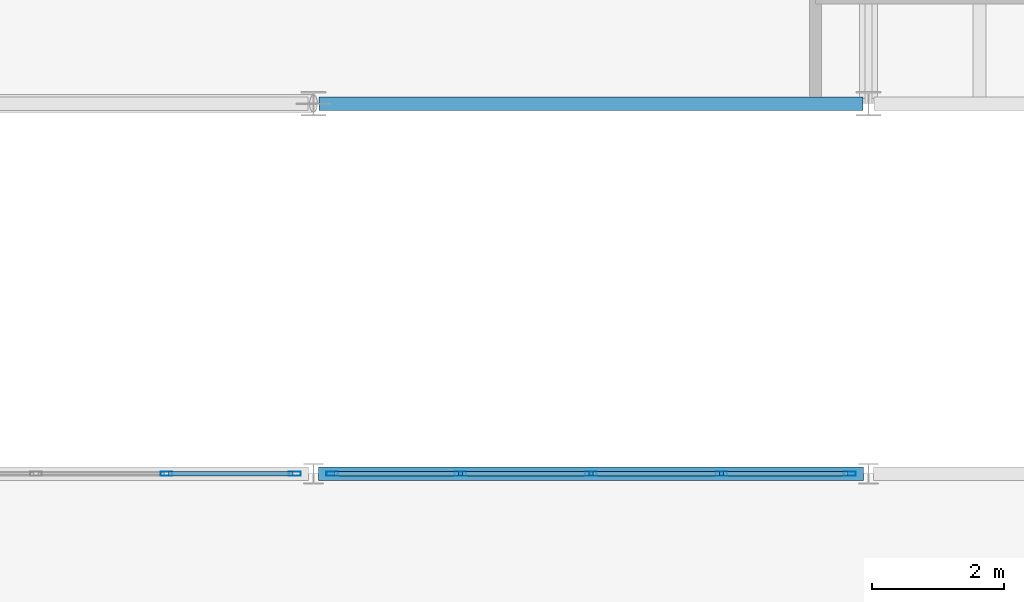
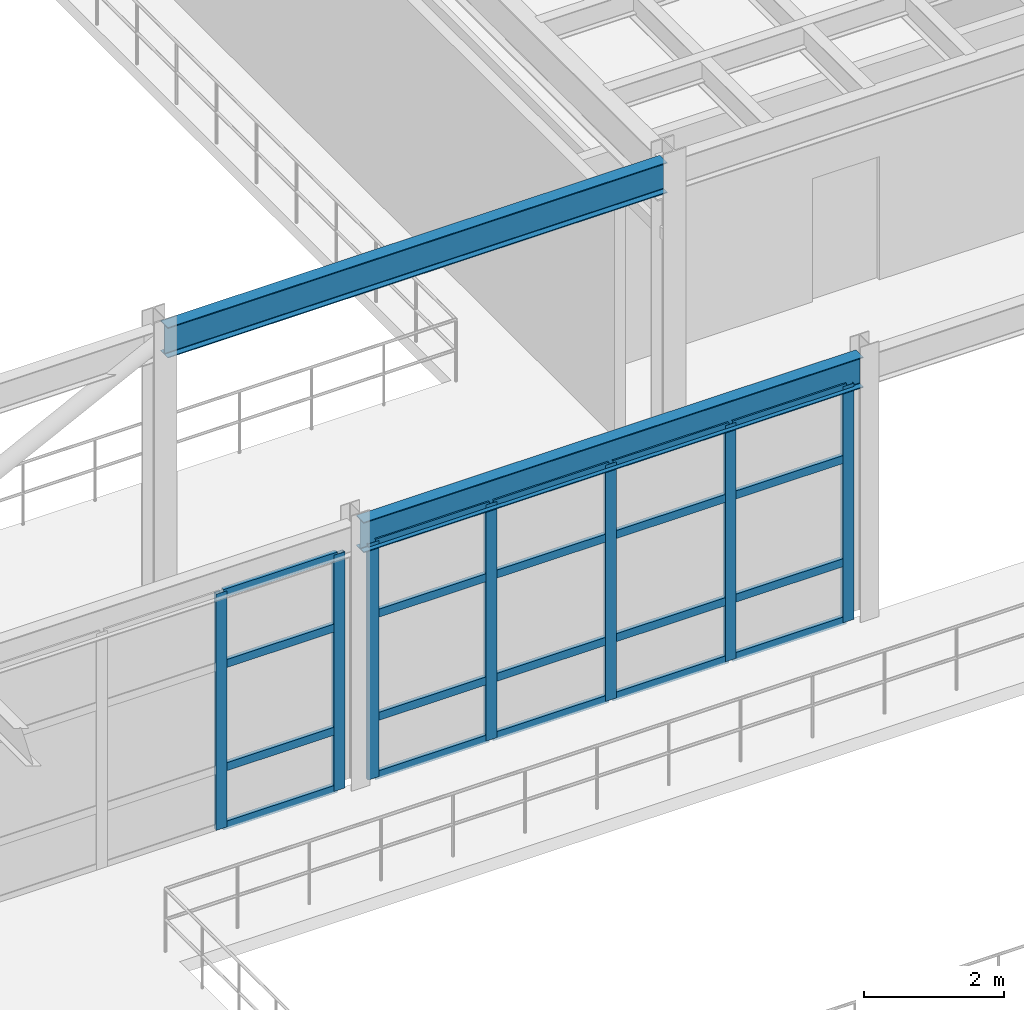
# One storey, part 32 of 116: 27 members, 2 beams, 2 elements without a shape of their own.
"""IFC4 building model written with IfcOpenShell, lengths in metres."""

from ifc_helpers import new_model, si_unit, direction, frame, origin, origin_2d, place, context, subcontext, project, spatial, hollow_rectangle, i_section, extrude, material, layer, layer_set, material_profile, profile_set, type_object, element, aggregate, save


model = new_model("IFC4")

# Units and contexts
model_context = context("Model", 3, precision=1e-05, world=origin(), true_north=direction((0.0, 1.0)))
body_context = subcontext(model_context, "Body", "Model", "MODEL_VIEW")
ifc_project = project(units=[si_unit("LENGTHUNIT", "METRE"), si_unit("AREAUNIT", "SQUARE_METRE"), si_unit("VOLUMEUNIT", "CUBIC_METRE"), si_unit("PLANEANGLEUNIT", "RADIAN"), si_unit("MASSUNIT", "GRAM", prefix="KILO")], contexts=[model_context])

# Site, building, storey
site_placement = place(None, origin())
site = spatial("IfcSite", under=ifc_project, at=site_placement, CompositionType="ELEMENT")
building_placement = place(site_placement, origin())
building = spatial("IfcBuilding", under=site, at=building_placement, Name="Selat Folded Stagehouse", CompositionType="ELEMENT")
storey_placement = place(building_placement, frame((0.0, 0.0, 5.39990234375)))
storey = spatial("IfcBuildingStorey", under=building, at=storey_placement, Name="L01", CompositionType="ELEMENT", Elevation=5.39990234375)

# Beams
ifc_material_1 = material(Name="Steel S355", Category="steel")
ifc_material_profile_1 = material_profile(ifc_material_1, i_section(OverallWidth=0.209228515625, OverallDepth=0.533203125, WebThickness=0.010009765625, FlangeThickness=0.015625, FilletRadius=0.0126953125, at=origin_2d()), Name="UKB 533x210x92")
ifc_profile_set_1 = profile_set([ifc_material_profile_1], Name="Steel S355")
beam_type = type_object("IfcBeamType", Name="BM-GIRD-533x210x92", PredefinedType="BEAM", material=ifc_profile_set_1)
beam_1_placement = place(storey_placement, frame((50.47705078125, 17.800048828125, 4.3134765625), z_axis=(1.0, 0.0, 0.0), x_axis=(0.0, 1.0, 0.0)))
element("IfcBeam", 1, at=beam_1_placement, inside=storey, type_object=beam_type, Name="L01 primary x-girder 0768", PredefinedType="BEAM", context=body_context, shape_type="SweptSolid", body=[
    extrude(i_section(OverallWidth=0.209228515625, OverallDepth=0.533203125, WebThickness=0.010009765625, FlangeThickness=0.015625, FilletRadius=0.0126953125, at=origin_2d()), origin(), (0.0, 0.0, 1.0), 8.245849609375),
])
beam_2_placement = place(storey_placement, frame((50.47998046875, 23.39990234375, 4.3134765625), z_axis=(1.0, 0.0, 0.0), x_axis=(0.0, 1.0, 0.0)))
element("IfcBeam", 2, at=beam_2_placement, inside=storey, type_object=beam_type, Name="L01 primary x-girder 0780", PredefinedType="BEAM", context=body_context, shape_type="SweptSolid", body=[
    extrude(i_section(OverallWidth=0.209228515625, OverallDepth=0.533203125, WebThickness=0.010009765625, FlangeThickness=0.015625, FilletRadius=0.0126953125, at=origin_2d()), origin(), (0.0, 0.0, 1.0), 8.239990234375),
])

# Curtain wall, members
ifc_material_2 = material(Name="Aluminium 6063-T6", Category="aluminium")
ifc_layer = layer(ifc_material_2, 0.195068359375)
ifc_layer_set = layer_set([ifc_layer], Name="Aluminium 6063-T6")
curtain_wall_type = type_object("IfcCurtainWallType", Name="CW-FYR-COURT", PredefinedType="NOTDEFINED", material=ifc_layer_set)
curtain_wall_1_placement = place(storey_placement, origin())
curtain_wall_1 = element("IfcCurtainWall", 3, at=curtain_wall_1_placement, inside=storey, type_object=curtain_wall_type, Name="L01 curtain wall CW-FYR-L01-08", PredefinedType="NOTDEFINED")
ifc_material_profile_2 = material_profile(ifc_material_2, hollow_rectangle(XDim=0.06494140625, YDim=0.179931640625, WallThickness=0.00390625, at=origin_2d()), Name="ALU 180x65x4.0")
ifc_profile_set_2 = profile_set([ifc_material_profile_2], Name="Aluminium 6063-T6")
member_type_1 = type_object("IfcMemberType", Name="CWM-MUL-180x65", PredefinedType="MULLION", material=ifc_profile_set_2)
member_1_placement = place(storey_placement, frame((48.175048828125, 17.800048828125, 0.0), z_axis=(0.0, 0.0, 1.0), x_axis=(0.0, 1.0, 0.0)))
member_1 = element("IfcMember", 4, at=member_1_placement, type_object=member_type_1, Name="CW-05 mullion 4", PredefinedType="MULLION", context=body_context, shape_type="SweptSolid", body=[
    extrude(hollow_rectangle(XDim=0.06494140625, YDim=0.179931640625, WallThickness=0.00390625, at=origin_2d()), origin(), (0.0, 0.0, 1.0), 4.1201171875),
])
member_2_placement = place(storey_placement, frame((50.117431640625, 17.800048828125, 0.0), z_axis=(0.0, 0.0, 1.0), x_axis=(0.0, 1.0, 0.0)))
member_2 = element("IfcMember", 5, at=member_2_placement, type_object=member_type_1, Name="CW-05 mullion 5", PredefinedType="MULLION", context=body_context, shape_type="SweptSolid", body=[
    extrude(hollow_rectangle(XDim=0.06494140625, YDim=0.179931640625, WallThickness=0.00390625, at=origin_2d()), origin(), (0.0, 0.0, 1.0), 4.1201171875),
])

curtain_wall_2_placement = place(storey_placement, origin())
curtain_wall_2 = element("IfcCurtainWall", 6, at=curtain_wall_2_placement, inside=storey, type_object=curtain_wall_type, Name="L01 curtain wall CW-FYR-L01-09", PredefinedType="NOTDEFINED")
member_3_placement = place(storey_placement, frame((50.6826171875, 17.800048828125, 0.0), z_axis=(0.0, 0.0, 1.0), x_axis=(0.0, 1.0, 0.0)))
member_3 = element("IfcMember", 7, at=member_3_placement, type_object=member_type_1, Name="CW-05 mullion 1", PredefinedType="MULLION", context=body_context, shape_type="SweptSolid", body=[
    extrude(hollow_rectangle(XDim=0.06494140625, YDim=0.179931640625, WallThickness=0.00390625, at=origin_2d()), origin(), (0.0, 0.0, 1.0), 4.1201171875),
])
member_4_placement = place(storey_placement, frame((52.625, 17.800048828125, 0.0), z_axis=(0.0, 0.0, 1.0), x_axis=(0.0, 1.0, 0.0)))
member_4 = element("IfcMember", 8, at=member_4_placement, type_object=member_type_1, Name="CW-05 mullion 2", PredefinedType="MULLION", context=body_context, shape_type="SweptSolid", body=[
    extrude(hollow_rectangle(XDim=0.06494140625, YDim=0.179931640625, WallThickness=0.00390625, at=origin_2d()), origin(), (0.0, 0.0, 1.0), 4.1201171875),
])
member_5_placement = place(storey_placement, frame((54.60009765625, 17.800048828125, 0.0), z_axis=(0.0, 0.0, 1.0), x_axis=(0.0, 1.0, 0.0)))
member_5 = element("IfcMember", 9, at=member_5_placement, type_object=member_type_1, Name="CW-05 mullion 3", PredefinedType="MULLION", context=body_context, shape_type="SweptSolid", body=[
    extrude(hollow_rectangle(XDim=0.06494140625, YDim=0.179931640625, WallThickness=0.00390625, at=origin_2d()), origin(), (0.0, 0.0, 1.0), 4.1201171875),
])
member_6_placement = place(storey_placement, frame((56.574951171875, 17.800048828125, 0.0), z_axis=(0.0, 0.0, 1.0), x_axis=(0.0, 1.0, 0.0)))
member_6 = element("IfcMember", 10, at=member_6_placement, type_object=member_type_1, Name="CW-05 mullion 4", PredefinedType="MULLION", context=body_context, shape_type="SweptSolid", body=[
    extrude(hollow_rectangle(XDim=0.06494140625, YDim=0.179931640625, WallThickness=0.00390625, at=origin_2d()), origin(), (0.0, 0.0, 1.0), 4.1201171875),
])
member_7_placement = place(storey_placement, frame((58.517578125, 17.800048828125, 0.0), z_axis=(0.0, 0.0, 1.0), x_axis=(0.0, 1.0, 0.0)))
member_7 = element("IfcMember", 11, at=member_7_placement, type_object=member_type_1, Name="CW-05 mullion 5", PredefinedType="MULLION", context=body_context, shape_type="SweptSolid", body=[
    extrude(hollow_rectangle(XDim=0.06494140625, YDim=0.179931640625, WallThickness=0.00390625, at=origin_2d()), origin(), (0.0, 0.0, 1.0), 4.1201171875),
])

# Member
ifc_material_profile_3 = material_profile(ifc_material_2, hollow_rectangle(XDim=0.06494140625, YDim=0.139892578125, WallThickness=0.00390625, at=origin_2d()), Name="ALU 140x65x4.0")
ifc_profile_set_3 = profile_set([ifc_material_profile_3], Name="Aluminium 6063-T6")
member_type_2 = type_object("IfcMemberType", Name="CWM-TRN-140x65", PredefinedType="USERDEFINED", material=ifc_profile_set_3)
member_8_placement = place(storey_placement, frame((48.20751953125, 17.800048828125, 0.03271484375), z_axis=(1.0, 0.0, 0.0), x_axis=(0.0, 1.0, 0.0)))
member_8 = element("IfcMember", 12, at=member_8_placement, type_object=member_type_2, Name="CW-05 transom 4.1", ObjectType="TRANSOM", PredefinedType="USERDEFINED", context=body_context, shape_type="SweptSolid", body=[
    extrude(hollow_rectangle(XDim=0.06494140625, YDim=0.139892578125, WallThickness=0.00390625, at=origin_2d()), origin(), (0.0, 0.0, 1.0), 1.87744140625),
])

member_9_placement = place(storey_placement, frame((48.20751953125, 17.800048828125, 1.050048828125), z_axis=(1.0, 0.0, 0.0), x_axis=(0.0, 1.0, 0.0)))
member_9 = element("IfcMember", 13, at=member_9_placement, type_object=member_type_2, Name="CW-05 transom 4.2", ObjectType="TRANSOM", PredefinedType="USERDEFINED", context=body_context, shape_type="SweptSolid", body=[
    extrude(hollow_rectangle(XDim=0.06494140625, YDim=0.139892578125, WallThickness=0.00390625, at=origin_2d()), origin(), (0.0, 0.0, 1.0), 1.87744140625),
])

member_10_placement = place(storey_placement, frame((48.20751953125, 17.800048828125, 2.85009765625), z_axis=(1.0, 0.0, 0.0), x_axis=(0.0, 1.0, 0.0)))
member_10 = element("IfcMember", 14, at=member_10_placement, type_object=member_type_2, Name="CW-05 transom 4.3", ObjectType="TRANSOM", PredefinedType="USERDEFINED", context=body_context, shape_type="SweptSolid", body=[
    extrude(hollow_rectangle(XDim=0.06494140625, YDim=0.139892578125, WallThickness=0.00390625, at=origin_2d()), origin(), (0.0, 0.0, 1.0), 1.87744140625),
])

member_11_placement = place(storey_placement, frame((48.20751953125, 17.800048828125, 4.087646484375), z_axis=(1.0, 0.0, 0.0), x_axis=(0.0, 1.0, 0.0)))
member_11 = element("IfcMember", 15, at=member_11_placement, type_object=member_type_2, Name="CW-05 transom 4.4", ObjectType="TRANSOM", PredefinedType="USERDEFINED", context=body_context, shape_type="SweptSolid", body=[
    extrude(hollow_rectangle(XDim=0.06494140625, YDim=0.139892578125, WallThickness=0.00390625, at=origin_2d()), origin(), (0.0, 0.0, 1.0), 1.87744140625),
])

aggregate(curtain_wall_1, [member_1, member_2, member_8, member_9, member_10, member_11])

member_12_placement = place(storey_placement, frame((50.715087890625, 17.800048828125, 0.03271484375), z_axis=(1.0, 0.0, 0.0), x_axis=(0.0, 1.0, 0.0)))
member_12 = element("IfcMember", 16, at=member_12_placement, type_object=member_type_2, Name="CW-05 transom 1.1", ObjectType="TRANSOM", PredefinedType="USERDEFINED", context=body_context, shape_type="SweptSolid", body=[
    extrude(hollow_rectangle(XDim=0.06494140625, YDim=0.139892578125, WallThickness=0.00390625, at=origin_2d()), origin(), (0.0, 0.0, 1.0), 1.87744140625),
])

member_13_placement = place(storey_placement, frame((50.715087890625, 17.800048828125, 1.050048828125), z_axis=(1.0, 0.0, 0.0), x_axis=(0.0, 1.0, 0.0)))
member_13 = element("IfcMember", 17, at=member_13_placement, type_object=member_type_2, Name="CW-05 transom 1.2", ObjectType="TRANSOM", PredefinedType="USERDEFINED", context=body_context, shape_type="SweptSolid", body=[
    extrude(hollow_rectangle(XDim=0.06494140625, YDim=0.139892578125, WallThickness=0.00390625, at=origin_2d()), origin(), (0.0, 0.0, 1.0), 1.87744140625),
])

member_14_placement = place(storey_placement, frame((50.715087890625, 17.800048828125, 2.85009765625), z_axis=(1.0, 0.0, 0.0), x_axis=(0.0, 1.0, 0.0)))
member_14 = element("IfcMember", 18, at=member_14_placement, type_object=member_type_2, Name="CW-05 transom 1.3", ObjectType="TRANSOM", PredefinedType="USERDEFINED", context=body_context, shape_type="SweptSolid", body=[
    extrude(hollow_rectangle(XDim=0.06494140625, YDim=0.139892578125, WallThickness=0.00390625, at=origin_2d()), origin(), (0.0, 0.0, 1.0), 1.87744140625),
])

member_15_placement = place(storey_placement, frame((50.715087890625, 17.800048828125, 4.087646484375), z_axis=(1.0, 0.0, 0.0), x_axis=(0.0, 1.0, 0.0)))
member_15 = element("IfcMember", 19, at=member_15_placement, type_object=member_type_2, Name="CW-05 transom 1.4", ObjectType="TRANSOM", PredefinedType="USERDEFINED", context=body_context, shape_type="SweptSolid", body=[
    extrude(hollow_rectangle(XDim=0.06494140625, YDim=0.139892578125, WallThickness=0.00390625, at=origin_2d()), origin(), (0.0, 0.0, 1.0), 1.87744140625),
])

member_16_placement = place(storey_placement, frame((52.657470703125, 17.800048828125, 0.03271484375), z_axis=(1.0, 0.0, 0.0), x_axis=(0.0, 1.0, 0.0)))
member_16 = element("IfcMember", 20, at=member_16_placement, type_object=member_type_2, Name="CW-05 transom 2.1", ObjectType="TRANSOM", PredefinedType="USERDEFINED", context=body_context, shape_type="SweptSolid", body=[
    extrude(hollow_rectangle(XDim=0.06494140625, YDim=0.139892578125, WallThickness=0.00390625, at=origin_2d()), origin(), (0.0, 0.0, 1.0), 1.909912109375),
])

member_17_placement = place(storey_placement, frame((52.657470703125, 17.800048828125, 1.050048828125), z_axis=(1.0, 0.0, 0.0), x_axis=(0.0, 1.0, 0.0)))
member_17 = element("IfcMember", 21, at=member_17_placement, type_object=member_type_2, Name="CW-05 transom 2.2", ObjectType="TRANSOM", PredefinedType="USERDEFINED", context=body_context, shape_type="SweptSolid", body=[
    extrude(hollow_rectangle(XDim=0.06494140625, YDim=0.139892578125, WallThickness=0.00390625, at=origin_2d()), origin(), (0.0, 0.0, 1.0), 1.909912109375),
])

member_18_placement = place(storey_placement, frame((52.657470703125, 17.800048828125, 2.85009765625), z_axis=(1.0, 0.0, 0.0), x_axis=(0.0, 1.0, 0.0)))
member_18 = element("IfcMember", 22, at=member_18_placement, type_object=member_type_2, Name="CW-05 transom 2.3", ObjectType="TRANSOM", PredefinedType="USERDEFINED", context=body_context, shape_type="SweptSolid", body=[
    extrude(hollow_rectangle(XDim=0.06494140625, YDim=0.139892578125, WallThickness=0.00390625, at=origin_2d()), origin(), (0.0, 0.0, 1.0), 1.909912109375),
])

member_19_placement = place(storey_placement, frame((52.657470703125, 17.800048828125, 4.087646484375), z_axis=(1.0, 0.0, 0.0), x_axis=(0.0, 1.0, 0.0)))
member_19 = element("IfcMember", 23, at=member_19_placement, type_object=member_type_2, Name="CW-05 transom 2.4", ObjectType="TRANSOM", PredefinedType="USERDEFINED", context=body_context, shape_type="SweptSolid", body=[
    extrude(hollow_rectangle(XDim=0.06494140625, YDim=0.139892578125, WallThickness=0.00390625, at=origin_2d()), origin(), (0.0, 0.0, 1.0), 1.909912109375),
])

member_20_placement = place(storey_placement, frame((54.632568359375, 17.800048828125, 0.03271484375), z_axis=(1.0, 0.0, 0.0), x_axis=(0.0, 1.0, 0.0)))
member_20 = element("IfcMember", 24, at=member_20_placement, type_object=member_type_2, Name="CW-05 transom 3.1", ObjectType="TRANSOM", PredefinedType="USERDEFINED", context=body_context, shape_type="SweptSolid", body=[
    extrude(hollow_rectangle(XDim=0.06494140625, YDim=0.139892578125, WallThickness=0.00390625, at=origin_2d()), origin(), (0.0, 0.0, 1.0), 1.909912109375),
])

member_21_placement = place(storey_placement, frame((54.632568359375, 17.800048828125, 1.050048828125), z_axis=(1.0, 0.0, 0.0), x_axis=(0.0, 1.0, 0.0)))
member_21 = element("IfcMember", 25, at=member_21_placement, type_object=member_type_2, Name="CW-05 transom 3.2", ObjectType="TRANSOM", PredefinedType="USERDEFINED", context=body_context, shape_type="SweptSolid", body=[
    extrude(hollow_rectangle(XDim=0.06494140625, YDim=0.139892578125, WallThickness=0.00390625, at=origin_2d()), origin(), (0.0, 0.0, 1.0), 1.909912109375),
])

member_22_placement = place(storey_placement, frame((54.632568359375, 17.800048828125, 2.85009765625), z_axis=(1.0, 0.0, 0.0), x_axis=(0.0, 1.0, 0.0)))
member_22 = element("IfcMember", 26, at=member_22_placement, type_object=member_type_2, Name="CW-05 transom 3.3", ObjectType="TRANSOM", PredefinedType="USERDEFINED", context=body_context, shape_type="SweptSolid", body=[
    extrude(hollow_rectangle(XDim=0.06494140625, YDim=0.139892578125, WallThickness=0.00390625, at=origin_2d()), origin(), (0.0, 0.0, 1.0), 1.909912109375),
])

member_23_placement = place(storey_placement, frame((54.632568359375, 17.800048828125, 4.087646484375), z_axis=(1.0, 0.0, 0.0), x_axis=(0.0, 1.0, 0.0)))
member_23 = element("IfcMember", 27, at=member_23_placement, type_object=member_type_2, Name="CW-05 transom 3.4", ObjectType="TRANSOM", PredefinedType="USERDEFINED", context=body_context, shape_type="SweptSolid", body=[
    extrude(hollow_rectangle(XDim=0.06494140625, YDim=0.139892578125, WallThickness=0.00390625, at=origin_2d()), origin(), (0.0, 0.0, 1.0), 1.909912109375),
])

member_24_placement = place(storey_placement, frame((56.607421875, 17.800048828125, 0.03271484375), z_axis=(1.0, 0.0, 0.0), x_axis=(0.0, 1.0, 0.0)))
member_24 = element("IfcMember", 28, at=member_24_placement, type_object=member_type_2, Name="CW-05 transom 4.1", ObjectType="TRANSOM", PredefinedType="USERDEFINED", context=body_context, shape_type="SweptSolid", body=[
    extrude(hollow_rectangle(XDim=0.06494140625, YDim=0.139892578125, WallThickness=0.00390625, at=origin_2d()), origin(), (0.0, 0.0, 1.0), 1.877685546875),
])

member_25_placement = place(storey_placement, frame((56.607421875, 17.800048828125, 1.050048828125), z_axis=(1.0, 0.0, 0.0), x_axis=(0.0, 1.0, 0.0)))
member_25 = element("IfcMember", 29, at=member_25_placement, type_object=member_type_2, Name="CW-05 transom 4.2", ObjectType="TRANSOM", PredefinedType="USERDEFINED", context=body_context, shape_type="SweptSolid", body=[
    extrude(hollow_rectangle(XDim=0.06494140625, YDim=0.139892578125, WallThickness=0.00390625, at=origin_2d()), origin(), (0.0, 0.0, 1.0), 1.877685546875),
])

member_26_placement = place(storey_placement, frame((56.607421875, 17.800048828125, 2.85009765625), z_axis=(1.0, 0.0, 0.0), x_axis=(0.0, 1.0, 0.0)))
member_26 = element("IfcMember", 30, at=member_26_placement, type_object=member_type_2, Name="CW-05 transom 4.3", ObjectType="TRANSOM", PredefinedType="USERDEFINED", context=body_context, shape_type="SweptSolid", body=[
    extrude(hollow_rectangle(XDim=0.06494140625, YDim=0.139892578125, WallThickness=0.00390625, at=origin_2d()), origin(), (0.0, 0.0, 1.0), 1.877685546875),
])

member_27_placement = place(storey_placement, frame((56.607421875, 17.800048828125, 4.087646484375), z_axis=(1.0, 0.0, 0.0), x_axis=(0.0, 1.0, 0.0)))
member_27 = element("IfcMember", 31, at=member_27_placement, type_object=member_type_2, Name="CW-05 transom 4.4", ObjectType="TRANSOM", PredefinedType="USERDEFINED", context=body_context, shape_type="SweptSolid", body=[
    extrude(hollow_rectangle(XDim=0.06494140625, YDim=0.139892578125, WallThickness=0.00390625, at=origin_2d()), origin(), (0.0, 0.0, 1.0), 1.877685546875),
])

aggregate(curtain_wall_2, [member_3, member_4, member_5, member_6, member_7, member_12, member_13, member_14, member_15, member_16, member_17, member_18, member_19, member_20, member_21, member_22, member_23, member_24, member_25, member_26, member_27])

save(model, "model.ifc")
